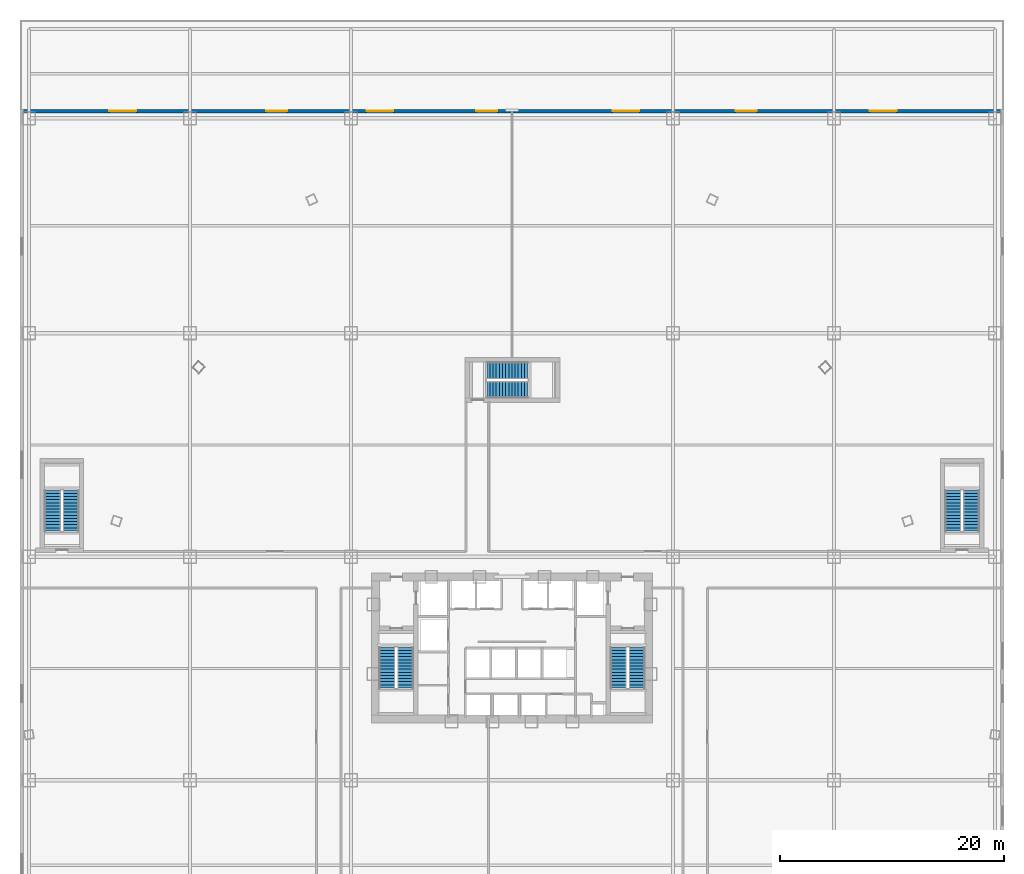
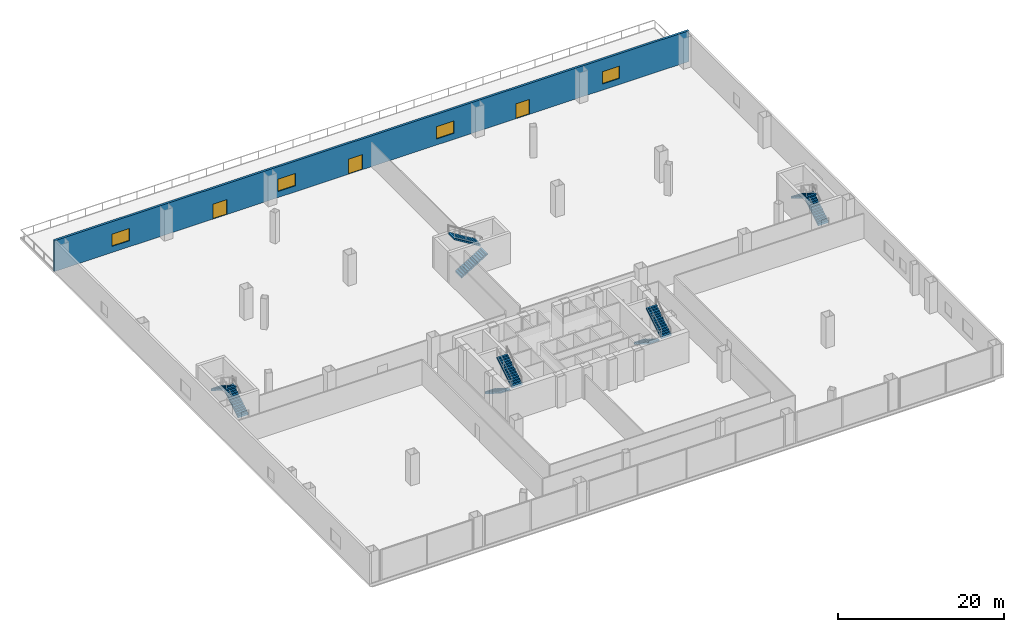
# One storey, part 22 of 27: 10 stair flights, 4 windows, 3 doors, 1 wall, 7 openings, 5 elements without a shape of their own.
"""IFC4 building model written with IfcOpenShell, lengths in metres."""

from ifc_helpers import new_model, si_unit, direction, frame, frame_2d, origin, origin_with_axes, place, context, subcontext, project, spatial, polyline, rectangle, outline, extrude, source, transform, mapped, material, layer, layer_set, type_object, element, fill, aggregate, save


model = new_model("IFC4")

# Units and contexts
model_context = context("Model", 3, precision=1e-05, world=origin(), true_north=direction((0.0, 1.0)))
body_context = subcontext(model_context, "Body", "Model", "MODEL_VIEW")
ifc_project = project(units=[si_unit("LENGTHUNIT", "METRE"), si_unit("AREAUNIT", "SQUARE_METRE"), si_unit("VOLUMEUNIT", "CUBIC_METRE"), si_unit("PLANEANGLEUNIT", "RADIAN"), si_unit("MASSUNIT", "GRAM", prefix="KILO"), si_unit("THERMODYNAMICTEMPERATUREUNIT", "KELVIN"), si_unit("POWERUNIT", "WATT")], contexts=[model_context])

# Site, building, storey
site_placement = place(None, origin())
site = spatial("IfcSite", under=ifc_project, at=site_placement, CompositionType="ELEMENT")
building_placement = place(site_placement, origin())
building = spatial("IfcBuilding", under=site, at=building_placement, Name="Yunzhuo Pagoda Commons", CompositionType="ELEMENT")
storey_placement = place(building_placement, frame((0.0, 0.0, 9.60009765625)))
storey = spatial("IfcBuildingStorey", under=building, at=storey_placement, Name="L03", CompositionType="ELEMENT", Elevation=9.60009765625)

# Wall, openings, windows, doors
ifc_material_1 = material(Name="Precast concrete C40", Category="concrete")
ifc_layer = layer(ifc_material_1, 0.300048828125)
ifc_layer_set = layer_set([ifc_layer], Name="Precast concrete C40")
wall_type = type_object("IfcWallType", Name="W-EXT1 Podium Precast Spandrel Wall 300", PredefinedType="STANDARD", material=ifc_layer_set)
wall_placement = place(storey_placement, frame((4.0, 81.85009765625, 0.0), z_axis=(0.0, 0.0, 1.0), x_axis=(1.0, 0.0, 0.0)))
wall = element("IfcWall", 1, at=wall_placement, inside=storey, type_object=wall_type, Name="L03 river terrace access wall", PredefinedType="STANDARD", context=body_context, shape_type="SweptSolid", body=[
    extrude(rectangle(XDim=88.0, YDim=0.300048828125, at=frame_2d((44.0, 0.0))), origin(), (0.0, 0.0, 1.0), 4.52001953125),
])
opening_1_placement = place(wall_placement, frame((22.0, 0.0, 0.0)))
opening_1 = element("IfcOpeningElement", 2, at=opening_1_placement, cuts=wall, Name="Opening D-TER1", PredefinedType="OPENING", context=body_context, shape_type="SweptSolid", body=[
    extrude(rectangle(XDim=1.89990234375, YDim=2.199951171875, at=frame_2d((0.949951171875, 1.10009765625))), frame((0.0, 0.16015625, 0.0), z_axis=(0.0, -1.0, 0.0), x_axis=(1.0, 0.0, 0.0)), (0.0, 0.0, 1.0), 0.320068359375),
])
opening_2_placement = place(wall_placement, frame((40.800048828125, 0.0, 0.0)))
opening_2 = element("IfcOpeningElement", 3, at=opening_2_placement, cuts=wall, Name="Opening D-TER1", PredefinedType="OPENING", context=body_context, shape_type="SweptSolid", body=[
    extrude(rectangle(XDim=1.89990234375, YDim=2.199951171875, at=frame_2d((0.949951171875, 1.10009765625))), frame((0.0, 0.16015625, 0.0), z_axis=(0.0, -1.0, 0.0), x_axis=(1.0, 0.0, 0.0)), (0.0, 0.0, 1.0), 0.320068359375),
])
opening_3_placement = place(wall_placement, frame((64.0, 0.0, 0.0)))
opening_3 = element("IfcOpeningElement", 4, at=opening_3_placement, cuts=wall, Name="Opening D-TER1", PredefinedType="OPENING", context=body_context, shape_type="SweptSolid", body=[
    extrude(rectangle(XDim=1.89990234375, YDim=2.199951171875, at=frame_2d((0.949951171875, 1.10009765625))), frame((0.0, 0.16015625, 0.0), z_axis=(0.0, -1.0, 0.0), x_axis=(1.0, 0.0, 0.0)), (0.0, 0.0, 1.0), 0.320068359375),
])
opening_4_placement = place(wall_placement, frame((8.0, 0.0, 0.89990234375)))
opening_4 = element("IfcOpeningElement", 5, at=opening_4_placement, cuts=wall, Name="Opening W-01", PredefinedType="OPENING", context=body_context, shape_type="SweptSolid", body=[
    extrude(rectangle(XDim=2.39990234375, YDim=1.800048828125, at=frame_2d((1.199951171875, 0.89990234375))), frame((0.0, 0.16015625, 0.0), z_axis=(0.0, -1.0, 0.0), x_axis=(1.0, 0.0, 0.0)), (0.0, 0.0, 1.0), 0.320068359375),
])
opening_5_placement = place(wall_placement, frame((31.0, 0.0, 0.89990234375)))
opening_5 = element("IfcOpeningElement", 6, at=opening_5_placement, cuts=wall, Name="Opening W-01", PredefinedType="OPENING", context=body_context, shape_type="SweptSolid", body=[
    extrude(rectangle(XDim=2.39990234375, YDim=1.800048828125, at=frame_2d((1.199951171875, 0.89990234375))), frame((0.0, 0.16015625, 0.0), z_axis=(0.0, -1.0, 0.0), x_axis=(1.0, 0.0, 0.0)), (0.0, 0.0, 1.0), 0.320068359375),
])
opening_6_placement = place(wall_placement, frame((53.0, 0.0, 0.89990234375)))
opening_6 = element("IfcOpeningElement", 7, at=opening_6_placement, cuts=wall, Name="Opening W-01", PredefinedType="OPENING", context=body_context, shape_type="SweptSolid", body=[
    extrude(rectangle(XDim=2.39990234375, YDim=1.800048828125, at=frame_2d((1.199951171875, 0.89990234375))), frame((0.0, 0.16015625, 0.0), z_axis=(0.0, -1.0, 0.0), x_axis=(1.0, 0.0, 0.0)), (0.0, 0.0, 1.0), 0.320068359375),
])
opening_7_placement = place(wall_placement, frame((76.0, 0.0, 0.89990234375)))
opening_7 = element("IfcOpeningElement", 8, at=opening_7_placement, cuts=wall, Name="Opening W-01", PredefinedType="OPENING", context=body_context, shape_type="SweptSolid", body=[
    extrude(rectangle(XDim=2.39990234375, YDim=1.800048828125, at=frame_2d((1.199951171875, 0.89990234375))), frame((0.0, 0.16015625, 0.0), z_axis=(0.0, -1.0, 0.0), x_axis=(1.0, 0.0, 0.0)), (0.0, 0.0, 1.0), 0.320068359375),
])
ifc_material_2 = material(Name="Tempered low-e double glazing", Category="glass")
window_type = type_object("IfcWindowType", Name="W-01 Podium Fixed Ribbon Window 2400x1800", PartitioningType="DOUBLE_PANEL_VERTICAL", PredefinedType="WINDOW", material=ifc_material_2)
shared_shape_1 = source(origin(), body_context, "Body", "SweptSolid", [
    extrude(rectangle(XDim=2.39990234375, YDim=1.800048828125, at=frame_2d((1.199951171875, 0.89990234375))), frame((0.0, 0.030029296875, 0.0), z_axis=(0.0, -1.0, 0.0), x_axis=(1.0, 0.0, 0.0)), (0.0, 0.0, 1.0), 0.06005859375),
])
window_1_placement = place(opening_4_placement, origin_with_axes())
window_1 = element("IfcWindow", 9, at=window_1_placement, inside=storey, type_object=window_type, Name="L03 north window 1", OverallHeight=1.800048828125, OverallWidth=2.39990234375, PartitioningType="SINGLE_PANEL", PredefinedType="WINDOW", context=body_context, shape_type="MappedRepresentation", body=[
    mapped(shared_shape_1, transform((0.0, 0.0, 0.0), scale=1.0)),
])
fill(opening_4, window_1)
window_2_placement = place(opening_5_placement, origin_with_axes())
window_2 = element("IfcWindow", 10, at=window_2_placement, inside=storey, type_object=window_type, Name="L03 north window 2", OverallHeight=1.800048828125, OverallWidth=2.39990234375, PartitioningType="SINGLE_PANEL", PredefinedType="WINDOW", context=body_context, shape_type="MappedRepresentation", body=[
    mapped(shared_shape_1, transform((0.0, 0.0, 0.0), scale=1.0)),
])
fill(opening_5, window_2)
window_3_placement = place(opening_6_placement, origin_with_axes())
window_3 = element("IfcWindow", 11, at=window_3_placement, inside=storey, type_object=window_type, Name="L03 north window 3", OverallHeight=1.800048828125, OverallWidth=2.39990234375, PartitioningType="SINGLE_PANEL", PredefinedType="WINDOW", context=body_context, shape_type="MappedRepresentation", body=[
    mapped(shared_shape_1, transform((0.0, 0.0, 0.0), scale=1.0)),
])
fill(opening_6, window_3)
window_4_placement = place(opening_7_placement, origin_with_axes())
window_4 = element("IfcWindow", 12, at=window_4_placement, inside=storey, type_object=window_type, Name="L03 north window 4", OverallHeight=1.800048828125, OverallWidth=2.39990234375, PartitioningType="SINGLE_PANEL", PredefinedType="WINDOW", context=body_context, shape_type="MappedRepresentation", body=[
    mapped(shared_shape_1, transform((0.0, 0.0, 0.0), scale=1.0)),
])
fill(opening_7, window_4)
ifc_material_3 = material(Name="Anodized aluminium frame and tempered glazed leaf", Category="aluminium")
door_type = type_object("IfcDoorType", Name="D-TER1 Double Sliding Terrace Door 1900x2200", OperationType="DOUBLE_DOOR_SLIDING", PredefinedType="DOOR", material=ifc_material_3)
shared_shape_2 = source(origin(), body_context, "Body", "SweptSolid", [
    extrude(rectangle(XDim=1.89990234375, YDim=2.199951171875, at=frame_2d((0.949951171875, 1.10009765625))), frame((0.0, 0.02490234375, 0.0), z_axis=(0.0, -1.0, 0.0), x_axis=(1.0, 0.0, 0.0)), (0.0, 0.0, 1.0), 0.050048828125),
])
door_1_placement = place(opening_1_placement, origin_with_axes())
door_1 = element("IfcDoor", 13, at=door_1_placement, inside=storey, type_object=door_type, Name="L03 river terrace sliding door 1", OperationType="DOUBLE_DOOR_SLIDING", OverallHeight=2.199951171875, OverallWidth=1.89990234375, PredefinedType="DOOR", context=body_context, shape_type="MappedRepresentation", body=[
    mapped(shared_shape_2, transform((0.0, 0.0, 0.0), scale=1.0)),
])
fill(opening_1, door_1)
door_2_placement = place(opening_2_placement, origin_with_axes())
door_2 = element("IfcDoor", 14, at=door_2_placement, inside=storey, type_object=door_type, Name="L03 river terrace sliding door 2", OperationType="DOUBLE_DOOR_SLIDING", OverallHeight=2.199951171875, OverallWidth=1.89990234375, PredefinedType="DOOR", context=body_context, shape_type="MappedRepresentation", body=[
    mapped(shared_shape_2, transform((0.0, 0.0, 0.0), scale=1.0)),
])
fill(opening_2, door_2)
door_3_placement = place(opening_3_placement, origin_with_axes())
door_3 = element("IfcDoor", 15, at=door_3_placement, inside=storey, type_object=door_type, Name="L03 river terrace sliding door 3", OperationType="DOUBLE_DOOR_SLIDING", OverallHeight=2.199951171875, OverallWidth=1.89990234375, PredefinedType="DOOR", context=body_context, shape_type="MappedRepresentation", body=[
    mapped(shared_shape_2, transform((0.0, 0.0, 0.0), scale=1.0)),
])
fill(opening_3, door_3)

# Stair, stair flights
ifc_material_4 = material(Name="Concrete C40", Category="concrete")
stair_type_1 = type_object("IfcStairType", Name="ST-C1 Core Smokeproof Stair ST1", PredefinedType="HALF_TURN_STAIR", material=ifc_material_4)
stair_1_placement = place(storey_placement, origin())
stair_1 = element("IfcStair", 16, at=stair_1_placement, inside=storey, type_object=stair_type_1, Name="L03 Core smokeproof stair ST1", PredefinedType="HALF_TURN_STAIR")
stair_flight_type_1 = type_object("IfcStairFlightType", Name="STF-C1 Core Stair Flight 1450", PredefinedType="STRAIGHT", material=ifc_material_4)
shared_shape_3 = source(origin(), body_context, "Body", "SweptSolid", [
    extrude(outline(polyline([(0.0, -0.14990234375), (0.0, 0.0), (0.0, 0.17138671875), (0.280029296875, 0.17138671875), (0.280029296875, 0.3427734375), (0.56005859375, 0.3427734375), (0.56005859375, 0.514404296875), (0.840087890625, 0.514404296875), (0.840087890625, 0.685791015625), (1.1201171875, 0.685791015625), (1.1201171875, 0.857177734375), (1.39990234375, 0.857177734375), (1.39990234375, 1.028564453125), (1.679931640625, 1.028564453125), (1.679931640625, 1.199951171875), (1.9599609375, 1.199951171875), (1.9599609375, 1.371337890625), (2.239990234375, 1.371337890625), (2.239990234375, 1.54296875), (2.52001953125, 1.54296875), (2.52001953125, 1.71435546875), (2.800048828125, 1.71435546875), (2.800048828125, 1.8857421875), (3.080078125, 1.8857421875), (3.080078125, 2.05712890625), (3.360107421875, 2.05712890625), (3.360107421875, 2.228515625), (3.639892578125, 2.228515625), (3.639892578125, 2.39990234375), (3.639892578125, 2.052734375), (0.287109375, 0.0), (0.050048828125, -0.14990234375), (0.0, -0.14990234375)])), frame((0.0, 0.72509765625, 0.0), z_axis=(0.0, -1.0, 0.0), x_axis=(1.0, 0.0, 0.0)), (0.0, 0.0, 1.0), 1.449951171875),
])
stair_flight_1_placement = place(storey_placement, frame((36.824951171875, 33.89990234375, 0.0), z_axis=(0.0, 0.0, 1.0), x_axis=(0.0, -1.0, 0.0)))
stair_flight_1 = element("IfcStairFlight", 17, at=stair_flight_1_placement, type_object=stair_flight_type_1, Name="ST1 flight 1", NumberOfRisers=14, NumberOfTreads=13, PredefinedType="STRAIGHT", RiserHeight=0.171428571, TreadLength=0.28, context=body_context, shape_type="MappedRepresentation", body=[
    mapped(shared_shape_3, transform((0.0, 0.0, 0.0), scale=1.0)),
])
stair_flight_2_placement = place(storey_placement, frame((38.47509765625, 30.260009765625, 2.39990234375), z_axis=(0.0, 0.0, 1.0), x_axis=(0.0, 1.0, 0.0)))
stair_flight_2 = element("IfcStairFlight", 18, at=stair_flight_2_placement, type_object=stair_flight_type_1, Name="ST1 flight 2", NumberOfRisers=14, NumberOfTreads=13, PredefinedType="STRAIGHT", RiserHeight=0.171428571, TreadLength=0.28, context=body_context, shape_type="MappedRepresentation", body=[
    mapped(shared_shape_3, transform((0.0, 0.0, 0.0), scale=1.0)),
])
aggregate(stair_1, [stair_flight_1, stair_flight_2])

stair_type_2 = type_object("IfcStairType", Name="ST-C2 Core Smokeproof Stair ST2", PredefinedType="HALF_TURN_STAIR", material=ifc_material_4)
stair_2_placement = place(storey_placement, origin())
stair_2 = element("IfcStair", 19, at=stair_2_placement, inside=storey, type_object=stair_type_2, Name="L03 Core smokeproof stair ST2", PredefinedType="HALF_TURN_STAIR")
stair_flight_type_2 = type_object("IfcStairFlightType", Name="STF-C2 Core Stair Flight 1460", PredefinedType="STRAIGHT", material=ifc_material_4)
stair_flight_3_placement = place(storey_placement, frame((57.52490234375, 33.89990234375, 0.0), z_axis=(0.0, 0.0, 1.0), x_axis=(0.0, -1.0, 0.0)))
stair_flight_3 = element("IfcStairFlight", 20, at=stair_flight_3_placement, type_object=stair_flight_type_2, Name="ST2 flight 1", NumberOfRisers=14, NumberOfTreads=13, PredefinedType="STRAIGHT", RiserHeight=0.171428571, TreadLength=0.28, context=body_context, shape_type="MappedRepresentation", body=[
    mapped(shared_shape_3, transform((0.0, 0.0, 0.0), scale=1.0)),
])
stair_flight_4_placement = place(storey_placement, frame((59.175048828125, 30.260009765625, 2.39990234375), z_axis=(0.0, 0.0, 1.0), x_axis=(0.0, 1.0, 0.0)))
stair_flight_4 = element("IfcStairFlight", 21, at=stair_flight_4_placement, type_object=stair_flight_type_2, Name="ST2 flight 2", NumberOfRisers=14, NumberOfTreads=13, PredefinedType="STRAIGHT", RiserHeight=0.171428571, TreadLength=0.28, context=body_context, shape_type="MappedRepresentation", body=[
    mapped(shared_shape_3, transform((0.0, 0.0, 0.0), scale=1.0)),
])
aggregate(stair_2, [stair_flight_3, stair_flight_4])

stair_type_3 = type_object("IfcStairType", Name="ST-P3 Podium Exit Stair PS3", PredefinedType="HALF_TURN_STAIR", material=ifc_material_4)
stair_3_placement = place(storey_placement, origin())
stair_3 = element("IfcStair", 22, at=stair_3_placement, inside=storey, type_object=stair_type_3, Name="L03 Podium exit stair PS3", PredefinedType="HALF_TURN_STAIR")
stair_flight_type_3 = type_object("IfcStairFlightType", Name="STF-P3 Podium Stair Flight 1455", PredefinedType="STRAIGHT", material=ifc_material_4)
stair_flight_5_placement = place(storey_placement, frame((8.574951171875, 44.300048828125, 0.0), z_axis=(0.0, 0.0, 1.0), x_axis=(0.0, 1.0, 0.0)))
stair_flight_5 = element("IfcStairFlight", 23, at=stair_flight_5_placement, type_object=stair_flight_type_3, Name="PS3 flight 1", NumberOfRisers=14, NumberOfTreads=13, PredefinedType="STRAIGHT", RiserHeight=0.171428571, TreadLength=0.28, context=body_context, shape_type="MappedRepresentation", body=[
    mapped(shared_shape_3, transform((0.0, 0.0, 0.0), scale=1.0)),
])
stair_flight_6_placement = place(storey_placement, frame((6.925048828125, 47.93994140625, 2.39990234375), z_axis=(0.0, 0.0, 1.0), x_axis=(0.0, -1.0, 0.0)))
stair_flight_6 = element("IfcStairFlight", 24, at=stair_flight_6_placement, type_object=stair_flight_type_3, Name="PS3 flight 2", NumberOfRisers=14, NumberOfTreads=13, PredefinedType="STRAIGHT", RiserHeight=0.171428571, TreadLength=0.28, context=body_context, shape_type="MappedRepresentation", body=[
    mapped(shared_shape_3, transform((0.0, 0.0, 0.0), scale=1.0)),
])
aggregate(stair_3, [stair_flight_5, stair_flight_6])

stair_type_4 = type_object("IfcStairType", Name="ST-P4 Podium Exit Stair PS4", PredefinedType="HALF_TURN_STAIR", material=ifc_material_4)
stair_4_placement = place(storey_placement, origin())
stair_4 = element("IfcStair", 25, at=stair_4_placement, inside=storey, type_object=stair_type_4, Name="L03 Podium exit stair PS4", PredefinedType="HALF_TURN_STAIR")
stair_flight_type_4 = type_object("IfcStairFlightType", Name="STF-P4 Podium Stair Flight 1465", PredefinedType="STRAIGHT", material=ifc_material_4)
stair_flight_7_placement = place(storey_placement, frame((89.074951171875, 44.300048828125, 0.0), z_axis=(0.0, 0.0, 1.0), x_axis=(0.0, 1.0, 0.0)))
stair_flight_7 = element("IfcStairFlight", 26, at=stair_flight_7_placement, type_object=stair_flight_type_4, Name="PS4 flight 1", NumberOfRisers=14, NumberOfTreads=13, PredefinedType="STRAIGHT", RiserHeight=0.171428571, TreadLength=0.28, context=body_context, shape_type="MappedRepresentation", body=[
    mapped(shared_shape_3, transform((0.0, 0.0, 0.0), scale=1.0)),
])
stair_flight_8_placement = place(storey_placement, frame((87.425048828125, 47.93994140625, 2.39990234375), z_axis=(0.0, 0.0, 1.0), x_axis=(0.0, -1.0, 0.0)))
stair_flight_8 = element("IfcStairFlight", 27, at=stair_flight_8_placement, type_object=stair_flight_type_4, Name="PS4 flight 2", NumberOfRisers=14, NumberOfTreads=13, PredefinedType="STRAIGHT", RiserHeight=0.171428571, TreadLength=0.28, context=body_context, shape_type="MappedRepresentation", body=[
    mapped(shared_shape_3, transform((0.0, 0.0, 0.0), scale=1.0)),
])
aggregate(stair_4, [stair_flight_7, stair_flight_8])

stair_type_5 = type_object("IfcStairType", Name="ST-C3 North Tower Smokeproof Stair ST3", PredefinedType="HALF_TURN_STAIR", material=ifc_material_4)
stair_5_placement = place(storey_placement, origin())
stair_5 = element("IfcStair", 28, at=stair_5_placement, inside=storey, type_object=stair_type_5, Name="L03 North tower smokeproof stair ST3", PredefinedType="HALF_TURN_STAIR")
stair_flight_type_5 = type_object("IfcStairFlightType", Name="STF-C3 North Stair Flight 1500", PredefinedType="STRAIGHT", material=ifc_material_4)
shared_shape_4 = source(origin(), body_context, "Body", "SweptSolid", [
    extrude(outline(polyline([(0.0, -0.14990234375), (0.0, 0.0), (0.0, 0.17138671875), (0.280029296875, 0.17138671875), (0.280029296875, 0.3427734375), (0.56005859375, 0.3427734375), (0.56005859375, 0.514404296875), (0.840087890625, 0.514404296875), (0.840087890625, 0.685791015625), (1.1201171875, 0.685791015625), (1.1201171875, 0.857177734375), (1.39990234375, 0.857177734375), (1.39990234375, 1.028564453125), (1.679931640625, 1.028564453125), (1.679931640625, 1.199951171875), (1.9599609375, 1.199951171875), (1.9599609375, 1.371337890625), (2.239990234375, 1.371337890625), (2.239990234375, 1.54296875), (2.52001953125, 1.54296875), (2.52001953125, 1.71435546875), (2.800048828125, 1.71435546875), (2.800048828125, 1.8857421875), (3.080078125, 1.8857421875), (3.080078125, 2.05712890625), (3.360107421875, 2.05712890625), (3.360107421875, 2.228515625), (3.639892578125, 2.228515625), (3.639892578125, 2.39990234375), (3.639892578125, 2.052734375), (0.287109375, 0.0), (0.050048828125, -0.14990234375), (0.0, -0.14990234375)])), frame((0.0, 0.75, 0.0), z_axis=(0.0, -1.0, 0.0), x_axis=(1.0, 0.0, 0.0)), (0.0, 0.0, 1.0), 1.5),
])
stair_flight_9_placement = place(storey_placement, frame((45.75, 56.949951171875, 0.0), z_axis=(0.0, 0.0, 1.0), x_axis=(1.0, 0.0, 0.0)))
stair_flight_9 = element("IfcStairFlight", 29, at=stair_flight_9_placement, type_object=stair_flight_type_5, Name="ST3 flight 1", NumberOfRisers=14, NumberOfTreads=13, PredefinedType="STRAIGHT", RiserHeight=0.171428571, TreadLength=0.28, context=body_context, shape_type="MappedRepresentation", body=[
    mapped(shared_shape_4, transform((0.0, 0.0, 0.0), scale=1.0)),
])
stair_flight_10_placement = place(storey_placement, frame((49.389892578125, 58.64990234375, 2.39990234375), z_axis=(0.0, 0.0, 1.0), x_axis=(-1.0, 0.0, 0.0)))
stair_flight_10 = element("IfcStairFlight", 30, at=stair_flight_10_placement, type_object=stair_flight_type_5, Name="ST3 flight 2", NumberOfRisers=14, NumberOfTreads=13, PredefinedType="STRAIGHT", RiserHeight=0.171428571, TreadLength=0.28, context=body_context, shape_type="MappedRepresentation", body=[
    mapped(shared_shape_4, transform((0.0, 0.0, 0.0), scale=1.0)),
])
aggregate(stair_5, [stair_flight_9, stair_flight_10])

save(model, "model.ifc")
